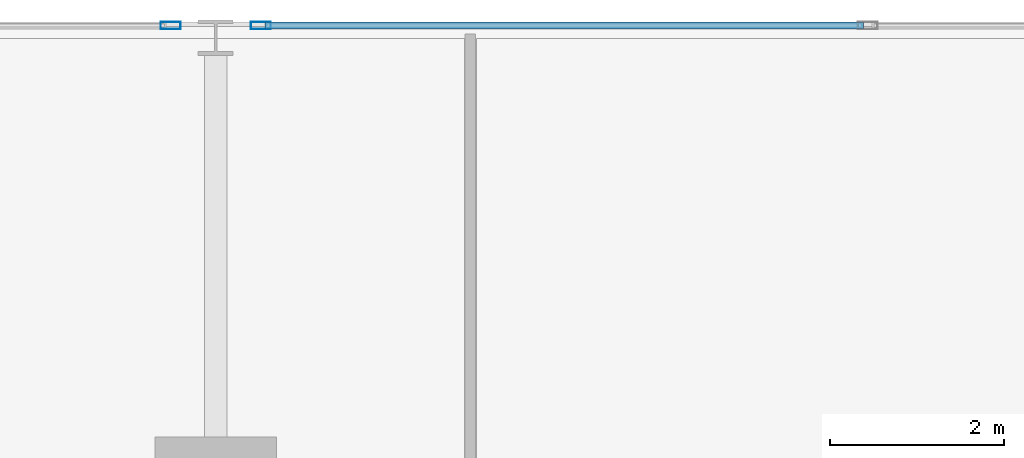
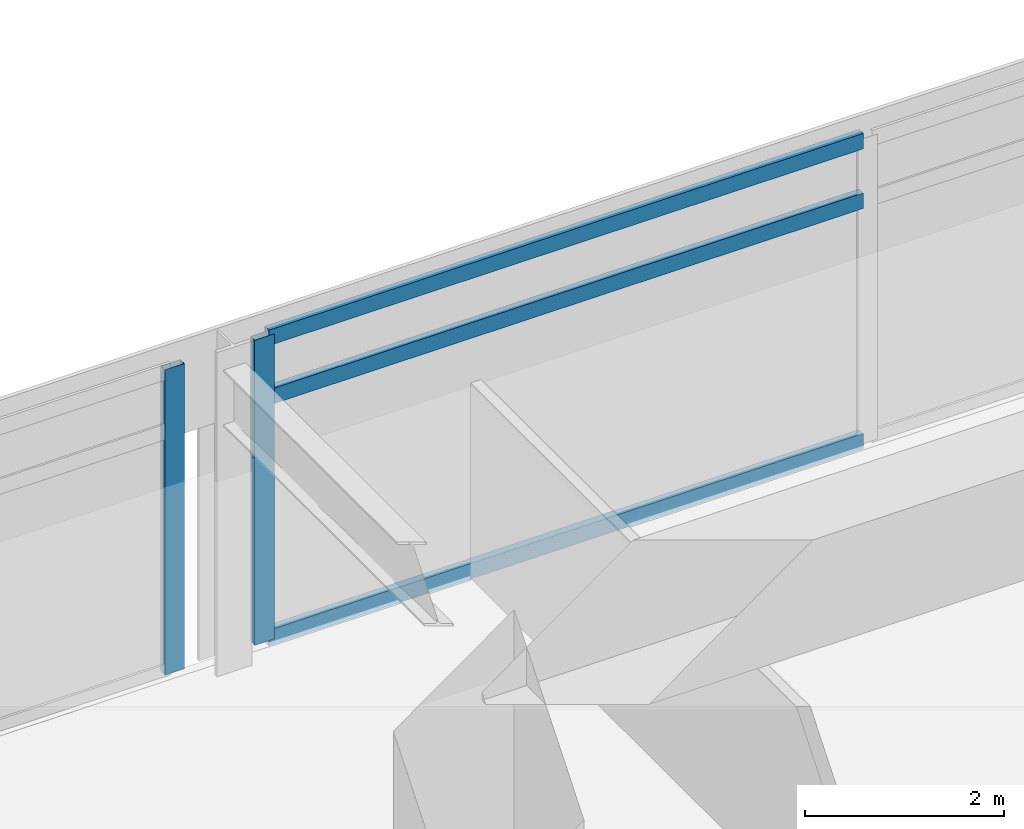
# One storey, part 8 of 23: 5 members, 2 elements without a shape of their own.
"""IFC4 building model written with IfcOpenShell, lengths in metres."""

from ifc_helpers import new_model, si_unit, direction, frame, origin, origin_2d, place, context, subcontext, project, spatial, hollow_rectangle, extrude, material, material_profile, profile_set, type_object, element, aggregate, save


model = new_model("IFC4")

# Units and contexts
model_context = context("Model", 3, precision=1e-05, world=origin(), true_north=direction((0.0, 1.0)))
body_context = subcontext(model_context, "Body", "Model", "MODEL_VIEW")
ifc_project = project(units=[si_unit("LENGTHUNIT", "METRE"), si_unit("AREAUNIT", "SQUARE_METRE"), si_unit("VOLUMEUNIT", "CUBIC_METRE"), si_unit("PLANEANGLEUNIT", "RADIAN"), si_unit("MASSUNIT", "GRAM", prefix="KILO")], contexts=[model_context])

# Site, building, storey
site_placement = place(None, origin())
site = spatial("IfcSite", under=ifc_project, at=site_placement, CompositionType="ELEMENT")
building_placement = place(site_placement, origin())
building = spatial("IfcBuilding", under=site, at=building_placement, Name="Kovane Verandah Tower", CompositionType="ELEMENT")
storey_placement = place(building_placement, frame((0.0, 0.0, 221.199951171875)))
storey = spatial("IfcBuildingStorey", under=building, at=storey_placement, Name="L51", CompositionType="ELEMENT", Elevation=221.199951171875)

# Curtain wall, member
ifc_material_1 = material(Name="Champagne Anodised Aluminium Frame with Low-E Clear Laminated Glass", Category="aluminium")
curtain_wall_type = type_object("IfcCurtainWallType", Name="CW-SYS-03-MID", PredefinedType="NOTDEFINED", material=ifc_material_1)
curtain_wall_1_placement = place(storey_placement, origin())
curtain_wall_1 = element("IfcCurtainWall", 1, at=curtain_wall_1_placement, inside=storey, type_object=curtain_wall_type, Name="L51 N Unitised Curtain Wall-2", PredefinedType="NOTDEFINED")
ifc_material_2 = material(Name="Champagne Anodised Aluminium 6063-T6", Category="aluminium")
ifc_material_profile_1 = material_profile(ifc_material_2, hollow_rectangle(XDim=0.0849609375, YDim=0.22998046875, WallThickness=0.00390625, at=origin_2d()), Name="AL85x230x4")
ifc_profile_set_1 = profile_set([ifc_material_profile_1], Name="Champagne Anodised Aluminium 6063-T6")
member_type_1 = type_object("IfcMemberType", Name="CW-MUL-85x230", PredefinedType="MULLION", material=ifc_profile_set_1)
member_1_placement = place(storey_placement, frame((29.52001953125, 49.640380859375, 0.02001953125), z_axis=(0.0, 0.0, 1.0), x_axis=(0.0, 1.0, 0.0)))
member_1 = element("IfcMember", 2, at=member_1_placement, type_object=member_type_1, Name="L51 N Unitised Curtain Wall-2 Mullion 4", PredefinedType="MULLION", context=body_context, shape_type="SweptSolid", body=[
    extrude(hollow_rectangle(XDim=0.0849609375, YDim=0.22998046875, WallThickness=0.00390625, at=origin_2d()), origin(), (0.0, 0.0, 1.0), 3.735107421875),
])

curtain_wall_2_placement = place(storey_placement, origin())
curtain_wall_2 = element("IfcCurtainWall", 3, at=curtain_wall_2_placement, inside=storey, type_object=curtain_wall_type, Name="L51 N Unitised Curtain Wall-3", PredefinedType="NOTDEFINED")
member_2_placement = place(storey_placement, frame((28.47998046875, 49.640380859375, 0.02001953125), z_axis=(0.0, 0.0, 1.0), x_axis=(0.0, 1.0, 0.0)))
member_2 = element("IfcMember", 4, at=member_2_placement, type_object=member_type_1, Name="L51 N Unitised Curtain Wall-3 Mullion 1", PredefinedType="MULLION", context=body_context, shape_type="SweptSolid", body=[
    extrude(hollow_rectangle(XDim=0.0849609375, YDim=0.22998046875, WallThickness=0.00390625, at=origin_2d()), origin(), (0.0, 0.0, 1.0), 3.735107421875),
])
aggregate(curtain_wall_2, [member_2])

# Member
ifc_material_profile_2 = material_profile(ifc_material_2, hollow_rectangle(XDim=0.0849609375, YDim=0.18994140625, WallThickness=0.00390625, at=origin_2d()), Name="AL85x190x4")
ifc_profile_set_2 = profile_set([ifc_material_profile_2], Name="Champagne Anodised Aluminium 6063-T6")
member_type_2 = type_object("IfcMemberType", Name="CW-TRN-85x190", PredefinedType="USERDEFINED", material=ifc_profile_set_2)
member_3_placement = place(storey_placement, frame((36.456787109375, 49.640380859375, 0.050048828125), z_axis=(-1.0, 0.0, 0.0), x_axis=(0.0, -1.0, 0.0)))
member_3 = element("IfcMember", 5, at=member_3_placement, type_object=member_type_2, Name="L51 N Unitised Curtain Wall-2 Transom TB Bay 3", ObjectType="TRANSOM", PredefinedType="USERDEFINED", context=body_context, shape_type="SweptSolid", body=[
    extrude(hollow_rectangle(XDim=0.0849609375, YDim=0.18994140625, WallThickness=0.00390625, at=origin_2d()), origin(), (0.0, 0.0, 1.0), 6.88671875),
])

member_4_placement = place(storey_placement, frame((36.456787109375, 49.640380859375, 2.9951171875), z_axis=(-1.0, 0.0, 0.0), x_axis=(0.0, -1.0, 0.0)))
member_4 = element("IfcMember", 6, at=member_4_placement, type_object=member_type_2, Name="L51 N Unitised Curtain Wall-2 Transom TM Bay 3", ObjectType="TRANSOM", PredefinedType="USERDEFINED", context=body_context, shape_type="SweptSolid", body=[
    extrude(hollow_rectangle(XDim=0.0849609375, YDim=0.18994140625, WallThickness=0.00390625, at=origin_2d()), origin(), (0.0, 0.0, 1.0), 6.88671875),
])

member_5_placement = place(storey_placement, frame((36.456787109375, 49.640380859375, 3.72509765625), z_axis=(-1.0, 0.0, 0.0), x_axis=(0.0, -1.0, 0.0)))
member_5 = element("IfcMember", 7, at=member_5_placement, type_object=member_type_2, Name="L51 N Unitised Curtain Wall-2 Transom TT Bay 3", ObjectType="TRANSOM", PredefinedType="USERDEFINED", context=body_context, shape_type="SweptSolid", body=[
    extrude(hollow_rectangle(XDim=0.0849609375, YDim=0.18994140625, WallThickness=0.00390625, at=origin_2d()), origin(), (0.0, 0.0, 1.0), 6.88671875),
])

aggregate(curtain_wall_1, [member_1, member_3, member_4, member_5])

save(model, "model.ifc")
